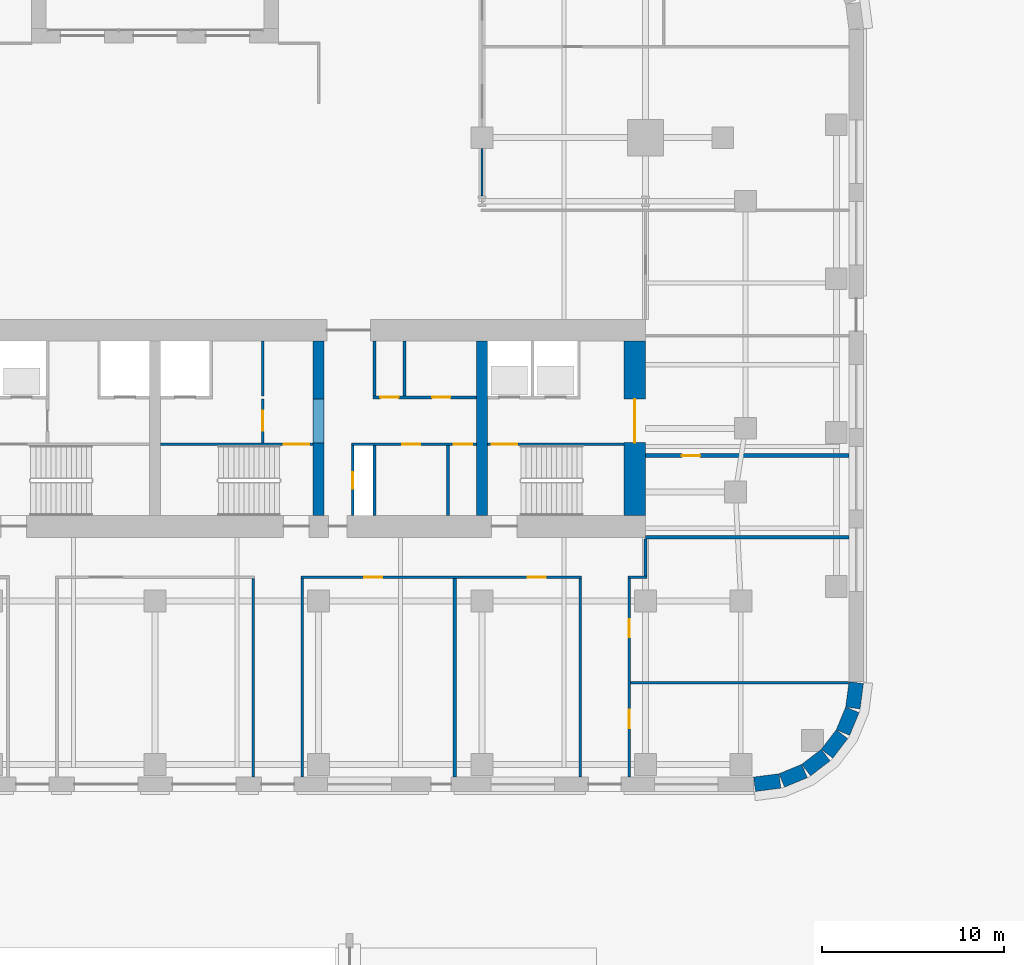
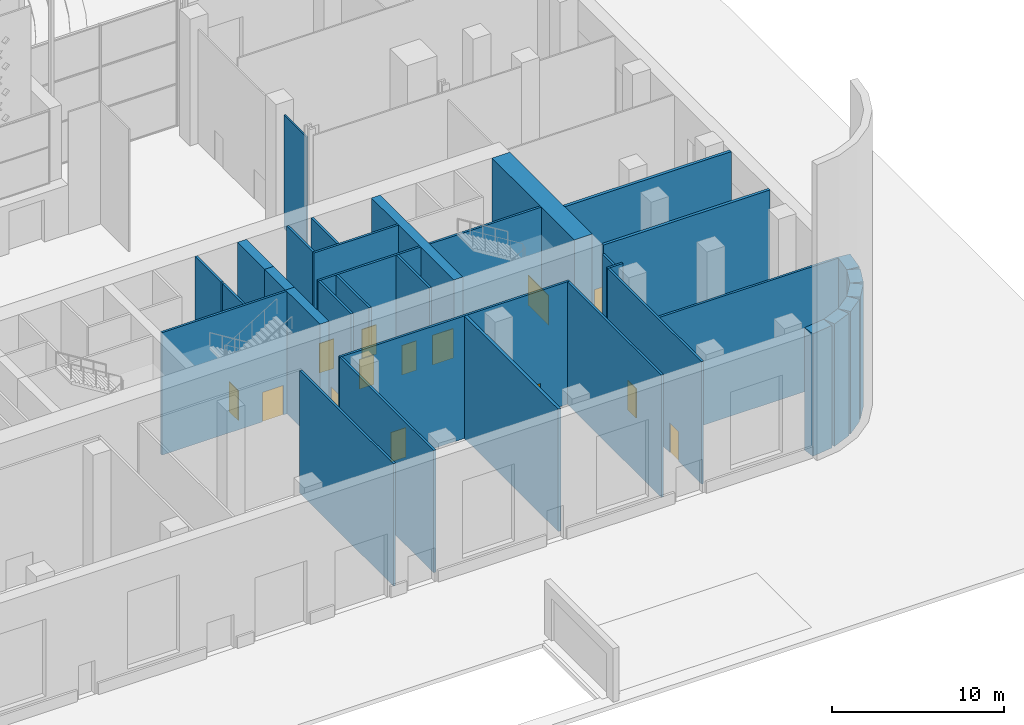
# One storey, part 13 of 23: 34 walls, 14 doors, 14 openings.
"""IFC4 building model written with IfcOpenShell, lengths in metres."""

from ifc_helpers import new_model, si_unit, direction, frame, frame_2d, origin, place, context, subcontext, project, spatial, rectangle, extrude, material, layer, layer_set, type_object, element, fill, save


model = new_model("IFC4")

# Units and contexts
model_context = context("Model", 3, precision=1e-05, world=origin(), true_north=direction((0.0, 1.0)))
body_context = subcontext(model_context, "Body", "Model", "MODEL_VIEW")
ifc_project = project(units=[si_unit("LENGTHUNIT", "METRE"), si_unit("AREAUNIT", "SQUARE_METRE"), si_unit("VOLUMEUNIT", "CUBIC_METRE"), si_unit("PLANEANGLEUNIT", "RADIAN"), si_unit("MASSUNIT", "GRAM", prefix="KILO")], contexts=[model_context])

# Site, building, storey
site_placement = place(None, origin())
site = spatial("IfcSite", under=ifc_project, at=site_placement, CompositionType="ELEMENT")
building_placement = place(site_placement, origin())
building = spatial("IfcBuilding", under=site, at=building_placement, Name="Zellij Exchange Tower", CompositionType="ELEMENT")
storey_placement = place(building_placement, origin())
storey = spatial("IfcBuildingStorey", under=building, at=storey_placement, Name="L00", CompositionType="ELEMENT", Elevation=0.0)

# Walls
ifc_material_1 = material(Name="Concrete C70/85", Category="concrete")
ifc_layer_1 = layer(ifc_material_1, 0.60009765625)
ifc_layer_set_1 = layer_set([ifc_layer_1], Name="Concrete C70/85")
wall_type_1 = type_object("IfcWallType", Name="CORE-CW 600 C70/85", PredefinedType="SHEAR", material=ifc_layer_set_1)
wall_1_placement = place(storey_placement, frame((9.0, -12.800048828125, 0.0), z_axis=(0.0, 0.0, 1.0), x_axis=(0.0, 1.0, 0.0)))
element("IfcWall", 1, at=wall_1_placement, inside=storey, type_object=wall_type_1, Name="Core cross wall pier x 9 a L00", PredefinedType="SHEAR", context=body_context, shape_type="SweptSolid", body=[
    extrude(rectangle(XDim=4.0, YDim=0.60009765625, at=frame_2d((2.0, 0.0))), origin(), (0.0, 0.0, 1.0), 8.699951171875),
])
wall_2_placement = place(storey_placement, frame((9.0, -6.375, 0.0), z_axis=(0.0, 0.0, 1.0), x_axis=(0.0, 1.0, 0.0)))
element("IfcWall", 2, at=wall_2_placement, inside=storey, type_object=wall_type_1, Name="Core cross wall pier x 9 b L00", PredefinedType="SHEAR", context=body_context, shape_type="SweptSolid", body=[
    extrude(rectangle(XDim=3.175048828125, YDim=0.60009765625, at=frame_2d((1.58740234375, 0.0))), origin(), (0.0, 0.0, 1.0), 8.699951171875),
])
wall_3_placement = place(storey_placement, frame((9.0, -8.800048828125, 3.60009765625), z_axis=(0.0, 0.0, 1.0), x_axis=(0.0, 1.0, 0.0)))
element("IfcWall", 3, at=wall_3_placement, inside=storey, type_object=wall_type_1, Name="Core cross wall over opening x 9 L00", PredefinedType="SHEAR", context=body_context, shape_type="SweptSolid", body=[
    extrude(rectangle(XDim=2.425048828125, YDim=0.60009765625, at=frame_2d((1.21240234375, 0.0))), origin(), (0.0, 0.0, 1.0), 5.099853515625),
])
wall_4_placement = place(storey_placement, frame((18.0, -12.800048828125, 0.0), z_axis=(0.0, 0.0, 1.0), x_axis=(0.0, 1.0, 0.0)))
element("IfcWall", 4, at=wall_4_placement, inside=storey, type_object=wall_type_1, Name="Core cross wall x 18 L00", PredefinedType="SHEAR", context=body_context, shape_type="SweptSolid", body=[
    extrude(rectangle(XDim=9.60009765625, YDim=0.60009765625, at=frame_2d((4.800048828125, 0.0))), origin(), (0.0, 0.0, 1.0), 8.699951171875),
])

# Wall, opening, door
ifc_material_2 = material(Name="Gypsum shaft wall system")
ifc_layer_2 = layer(ifc_material_2, 0.14990234375)
ifc_layer_set_2 = layer_set([ifc_layer_2], Name="Gypsum shaft wall system")
wall_type_2 = type_object("IfcWallType", Name="CORE-PW 150 Firefighting lobby wall", PredefinedType="PARTITIONING", material=ifc_layer_set_2)
wall_5_placement = place(storey_placement, frame((5.925048828125, -8.800048828125, 0.0), z_axis=(0.0, 0.0, 1.0), x_axis=(0.0, 1.0, 0.0)))
wall_5 = element("IfcWall", 5, at=wall_5_placement, inside=storey, type_object=wall_type_2, Name="Firefighting lobby wall L00", PredefinedType="PARTITIONING", context=body_context, shape_type="SweptSolid", body=[
    extrude(rectangle(XDim=2.425048828125, YDim=0.14990234375, at=frame_2d((1.21240234375, 0.0))), origin(), (0.0, 0.0, 1.0), 8.699951171875),
])
opening_1_placement = place(wall_5_placement, frame((0.662109375, 0.0, 0.0)))
opening_1 = element("IfcOpeningElement", 6, at=opening_1_placement, cuts=wall_5, Name="Opening CA-03.20", PredefinedType="OPENING", context=body_context, shape_type="SweptSolid", body=[
    extrude(rectangle(XDim=1.10009765625, YDim=2.10009765625, at=frame_2d((0.550048828125, 1.050048828125))), frame((0.0, 0.0869140625, 0.0), z_axis=(0.0, -1.0, 0.0), x_axis=(1.0, 0.0, 0.0)), (0.0, 0.0, 1.0), 0.173828125),
])
ifc_material_3 = material(Name="Hollow metal fire door")
door_type_1 = type_object("IfcDoorType", Name="CORE-D F Firefighting lobby door 1100x2100 1 HR", OperationType="NOTDEFINED", PredefinedType="DOOR", material=ifc_material_3)
door_1_placement = place(opening_1_placement, origin())
door_1 = element("IfcDoor", 7, at=door_1_placement, inside=storey, type_object=door_type_1, Name="Firefighting lobby door CA-03.20", OperationType="SINGLE_SWING_RIGHT", OverallHeight=2.10009765625, OverallWidth=1.10009765625, PredefinedType="DOOR", context=body_context, shape_type="SweptSolid", body=[
    extrude(rectangle(XDim=1.10009765625, YDim=2.10009765625, at=frame_2d((0.550048828125, 1.050048828125))), frame((0.0, 0.02490234375, 0.0), z_axis=(0.0, -1.0, 0.0), x_axis=(1.0, 0.0, 0.0)), (0.0, 0.0, 1.0), 0.050048828125),
])
fill(opening_1, door_1)

# Walls
ifc_material_4 = material(Name="Gypsum board partition")
ifc_layer_3 = layer(ifc_material_4, 0.14990234375)
ifc_layer_set_3 = layer_set([ifc_layer_3], Name="Gypsum board partition")
wall_type_3 = type_object("IfcWallType", Name="CORE-PW 150 Lift lobby wall", PredefinedType="PARTITIONING", material=ifc_layer_set_3)
for number, where, z_axis, x_axis, name in (
    (8, (5.925048828125, -6.22509765625, 0.0), (0.0, 0.0, 1.0), (0.0, 1.0, 0.0), "Lift lobby wall L00"),
    (9, (12.074951171875, -6.22509765625, 0.0), (0.0, 0.0, 1.0), (0.0, 1.0, 0.0), "Lift lobby wall L00"),
    (10, (13.72509765625, -6.22509765625, 0.0), (0.0, 0.0, 1.0), (0.0, 1.0, 0.0), "Lift lobby wall L00"),
):
    element("IfcWall", number, at=place(storey_placement, frame(where, z_axis=z_axis, x_axis=x_axis)), inside=storey, type_object=wall_type_3, Name=name, PredefinedType="PARTITIONING", context=body_context, shape_type="SweptSolid", body=[
        extrude(rectangle(XDim=3.025146484375, YDim=0.14990234375, at=frame_2d((1.5126953125, 0.0))), origin(), (0.0, 0.0, 1.0), 8.699951171875),
    ])

# Wall, opening, door
wall_6_placement = place(storey_placement, frame((10.875, -12.800048828125, 0.0), z_axis=(0.0, 0.0, 1.0), x_axis=(0.0, 1.0, 0.0)))
wall_6 = element("IfcWall", 11, at=wall_6_placement, inside=storey, type_object=wall_type_3, Name="Lift lobby wall L00", PredefinedType="PARTITIONING", context=body_context, shape_type="SweptSolid", body=[
    extrude(rectangle(XDim=3.85009765625, YDim=0.14990234375, at=frame_2d((1.925048828125, 0.0))), origin(), (0.0, 0.0, 1.0), 8.699951171875),
])
opening_2_placement = place(wall_6_placement, frame((1.47509765625, 0.0, 0.0)))
opening_2 = element("IfcOpeningElement", 12, at=opening_2_placement, cuts=wall_6, Name="Opening CA-03.25", PredefinedType="OPENING", context=body_context, shape_type="SweptSolid", body=[
    extrude(rectangle(XDim=0.89990234375, YDim=2.10009765625, at=frame_2d((0.449951171875, 1.050048828125))), frame((0.0, 0.0869140625, 0.0), z_axis=(0.0, -1.0, 0.0), x_axis=(1.0, 0.0, 0.0)), (0.0, 0.0, 1.0), 0.173828125),
])
door_type_2 = type_object("IfcDoorType", Name="CORE-D RD Riser door 900x2100 1.5 HR", OperationType="NOTDEFINED", PredefinedType="DOOR", material=ifc_material_3)
door_2_placement = place(opening_2_placement, origin())
door_2 = element("IfcDoor", 13, at=door_2_placement, inside=storey, type_object=door_type_2, Name="Riser door CA-03.25", OperationType="SINGLE_SWING_LEFT", OverallHeight=2.10009765625, OverallWidth=0.89990234375, PredefinedType="DOOR", context=body_context, shape_type="SweptSolid", body=[
    extrude(rectangle(XDim=0.89990234375, YDim=2.10009765625, at=frame_2d((0.449951171875, 1.050048828125))), frame((0.0, 0.02490234375, 0.0), z_axis=(0.0, -1.0, 0.0), x_axis=(1.0, 0.0, 0.0)), (0.0, 0.0, 1.0), 0.050048828125),
])
fill(opening_2, door_2)

# Walls
for number, where, z_axis, x_axis, name in (
    (14, (12.074951171875, -12.800048828125, 0.0), (0.0, 0.0, 1.0), (0.0, 1.0, 0.0), "Lift lobby wall L00"),
    (15, (16.125, -12.800048828125, 0.0), (0.0, 0.0, 1.0), (0.0, 1.0, 0.0), "Lift lobby wall L00"),
):
    element("IfcWall", number, at=place(storey_placement, frame(where, z_axis=z_axis, x_axis=x_axis)), inside=storey, type_object=wall_type_3, Name=name, PredefinedType="PARTITIONING", context=body_context, shape_type="SweptSolid", body=[
        extrude(rectangle(XDim=3.85009765625, YDim=0.14990234375, at=frame_2d((1.925048828125, 0.0))), origin(), (0.0, 0.0, 1.0), 8.699951171875),
    ])

# Wall, openings, doors
wall_7_placement = place(storey_placement, frame((12.0, -6.300048828125, 0.0), z_axis=(0.0, 0.0, 1.0), x_axis=(1.0, 0.0, 0.0)))
wall_7 = element("IfcWall", 16, at=wall_7_placement, inside=storey, type_object=wall_type_3, Name="Lift lobby wall L00", PredefinedType="PARTITIONING", context=body_context, shape_type="SweptSolid", body=[
    extrude(rectangle(XDim=5.699951171875, YDim=0.14990234375, at=frame_2d((2.85009765625, 0.0))), origin(), (0.0, 0.0, 1.0), 8.699951171875),
])
opening_3_placement = place(wall_7_placement, frame((0.39990234375, 0.0, 0.0)))
opening_3 = element("IfcOpeningElement", 17, at=opening_3_placement, cuts=wall_7, Name="Opening CA-03.26", PredefinedType="OPENING", context=body_context, shape_type="SweptSolid", body=[
    extrude(rectangle(XDim=1.0, YDim=2.10009765625, at=frame_2d((0.5, 1.050048828125))), frame((0.0, 0.0869140625, 0.0), z_axis=(0.0, -1.0, 0.0), x_axis=(1.0, 0.0, 0.0)), (0.0, 0.0, 1.0), 0.173828125),
])
opening_4_placement = place(wall_7_placement, frame((3.25, 0.0, 0.0)))
opening_4 = element("IfcOpeningElement", 18, at=opening_4_placement, cuts=wall_7, Name="Opening CA-03.28", PredefinedType="OPENING", context=body_context, shape_type="SweptSolid", body=[
    extrude(rectangle(XDim=1.0, YDim=2.10009765625, at=frame_2d((0.5, 1.050048828125))), frame((0.0, 0.0869140625, 0.0), z_axis=(0.0, -1.0, 0.0), x_axis=(1.0, 0.0, 0.0)), (0.0, 0.0, 1.0), 0.173828125),
])
door_type_3 = type_object("IfcDoorType", Name="CORE-D CD Core room door 1000x2100 1 HR", OperationType="NOTDEFINED", PredefinedType="DOOR", material=ifc_material_3)
door_3_placement = place(opening_3_placement, origin())
door_3 = element("IfcDoor", 19, at=door_3_placement, inside=storey, type_object=door_type_3, Name="Core room door CA-03.26", OperationType="SINGLE_SWING_LEFT", OverallHeight=2.10009765625, OverallWidth=1.0, PredefinedType="DOOR", context=body_context, shape_type="SweptSolid", body=[
    extrude(rectangle(XDim=1.0, YDim=2.10009765625, at=frame_2d((0.5, 1.050048828125))), frame((0.0, 0.02490234375, 0.0), z_axis=(0.0, -1.0, 0.0), x_axis=(1.0, 0.0, 0.0)), (0.0, 0.0, 1.0), 0.050048828125),
])
fill(opening_3, door_3)
door_4_placement = place(opening_4_placement, origin())
door_4 = element("IfcDoor", 20, at=door_4_placement, inside=storey, type_object=door_type_3, Name="Core room door CA-03.28", OperationType="SINGLE_SWING_RIGHT", OverallHeight=2.10009765625, OverallWidth=1.0, PredefinedType="DOOR", context=body_context, shape_type="SweptSolid", body=[
    extrude(rectangle(XDim=1.0, YDim=2.10009765625, at=frame_2d((0.5, 1.050048828125))), frame((0.0, 0.02490234375, 0.0), z_axis=(0.0, -1.0, 0.0), x_axis=(1.0, 0.0, 0.0)), (0.0, 0.0, 1.0), 0.050048828125),
])
fill(opening_4, door_4)

wall_8_placement = place(storey_placement, frame((10.800048828125, -8.875, 0.0), z_axis=(0.0, 0.0, 1.0), x_axis=(1.0, 0.0, 0.0)))
wall_8 = element("IfcWall", 21, at=wall_8_placement, inside=storey, type_object=wall_type_3, Name="Lift lobby wall L00", PredefinedType="PARTITIONING", context=body_context, shape_type="SweptSolid", body=[
    extrude(rectangle(XDim=6.89990234375, YDim=0.14990234375, at=frame_2d((3.449951171875, 0.0))), origin(), (0.0, 0.0, 1.0), 8.699951171875),
])
opening_5_placement = place(wall_8_placement, frame((2.800048828125, 0.0, 0.0)))
opening_5 = element("IfcOpeningElement", 22, at=opening_5_placement, cuts=wall_8, Name="Opening CA-03.27", PredefinedType="OPENING", context=body_context, shape_type="SweptSolid", body=[
    extrude(rectangle(XDim=1.0, YDim=2.10009765625, at=frame_2d((0.5, 1.050048828125))), frame((0.0, 0.0869140625, 0.0), z_axis=(0.0, -1.0, 0.0), x_axis=(1.0, 0.0, 0.0)), (0.0, 0.0, 1.0), 0.173828125),
])
opening_6_placement = place(wall_8_placement, frame((5.64990234375, 0.0, 0.0)))
opening_6 = element("IfcOpeningElement", 23, at=opening_6_placement, cuts=wall_8, Name="Opening CA-03.29", PredefinedType="OPENING", context=body_context, shape_type="SweptSolid", body=[
    extrude(rectangle(XDim=1.0, YDim=2.10009765625, at=frame_2d((0.5, 1.050048828125))), frame((0.0, 0.0869140625, 0.0), z_axis=(0.0, -1.0, 0.0), x_axis=(1.0, 0.0, 0.0)), (0.0, 0.0, 1.0), 0.173828125),
])
door_5_placement = place(opening_5_placement, origin())
door_5 = element("IfcDoor", 24, at=door_5_placement, inside=storey, type_object=door_type_3, Name="Core room door CA-03.27", OperationType="SINGLE_SWING_RIGHT", OverallHeight=2.10009765625, OverallWidth=1.0, PredefinedType="DOOR", context=body_context, shape_type="SweptSolid", body=[
    extrude(rectangle(XDim=1.0, YDim=2.10009765625, at=frame_2d((0.5, 1.050048828125))), frame((0.0, 0.02490234375, 0.0), z_axis=(0.0, -1.0, 0.0), x_axis=(1.0, 0.0, 0.0)), (0.0, 0.0, 1.0), 0.050048828125),
])
fill(opening_5, door_5)
door_6_placement = place(opening_6_placement, origin())
door_6 = element("IfcDoor", 25, at=door_6_placement, inside=storey, type_object=door_type_3, Name="Core room door CA-03.29", OperationType="SINGLE_SWING_LEFT", OverallHeight=2.10009765625, OverallWidth=1.0, PredefinedType="DOOR", context=body_context, shape_type="SweptSolid", body=[
    extrude(rectangle(XDim=1.0, YDim=2.10009765625, at=frame_2d((0.5, 1.050048828125))), frame((0.0, 0.02490234375, 0.0), z_axis=(0.0, -1.0, 0.0), x_axis=(1.0, 0.0, 0.0)), (0.0, 0.0, 1.0), 0.050048828125),
])
fill(opening_6, door_6)

# Wall, opening, door
ifc_layer_4 = layer(ifc_material_1, 1.199951171875)
ifc_layer_set_4 = layer_set([ifc_layer_4], Name="Concrete C70/85")
wall_type_4 = type_object("IfcWallType", Name="CORE-SW 1200 C70/85", PredefinedType="SHEAR", material=ifc_layer_set_4)
wall_9_placement = place(storey_placement, frame((26.39990234375, -12.800048828125, 0.0), z_axis=(0.0, 0.0, 1.0), x_axis=(0.0, 1.0, 0.0)))
wall_9 = element("IfcWall", 26, at=wall_9_placement, inside=storey, type_object=wall_type_4, Name="Core shear wall end e L00", PredefinedType="SHEAR", context=body_context, shape_type="SweptSolid", body=[
    extrude(rectangle(XDim=9.60009765625, YDim=1.199951171875, at=frame_2d((4.800048828125, 0.0))), origin(), (0.0, 0.0, 1.0), 8.699951171875),
])
opening_7_placement = place(wall_9_placement, frame((4.011962890625, 0.0, 0.0)))
opening_7 = element("IfcOpeningElement", 27, at=opening_7_placement, cuts=wall_9, Name="Opening CA-03.34", PredefinedType="OPENING", context=body_context, shape_type="SweptSolid", body=[
    extrude(rectangle(XDim=2.39990234375, YDim=2.10009765625, at=frame_2d((1.199951171875, 1.050048828125))), frame((0.0, 0.61181640625, 0.0), z_axis=(0.0, -1.0, 0.0), x_axis=(1.0, 0.0, 0.0)), (0.0, 0.0, 1.0), 1.223876953125),
])
door_type_4 = type_object("IfcDoorType", Name="CORE-D CE Core entrance door 2400x2100 20 MIN", OperationType="NOTDEFINED", PredefinedType="DOOR", material=ifc_material_3)
door_7_placement = place(opening_7_placement, origin())
door_7 = element("IfcDoor", 28, at=door_7_placement, inside=storey, type_object=door_type_4, Name="Core entrance door CA-03.34", OperationType="DOUBLE_DOOR_SINGLE_SWING", OverallHeight=2.10009765625, OverallWidth=2.39990234375, PredefinedType="DOOR", context=body_context, shape_type="SweptSolid", body=[
    extrude(rectangle(XDim=2.39990234375, YDim=2.10009765625, at=frame_2d((1.199951171875, 1.050048828125))), frame((0.0, 0.02490234375, 0.0), z_axis=(0.0, -1.0, 0.0), x_axis=(1.0, 0.0, 0.0)), (0.0, 0.0, 1.0), 0.050048828125),
])
fill(opening_7, door_7)

ifc_layer_5 = layer(ifc_material_1, 0.14990234375)
ifc_layer_set_5 = layer_set([ifc_layer_5], Name="Concrete C70/85")
wall_type_5 = type_object("IfcWallType", Name="CORE-SWS 150 C70/85", PredefinedType="SHEAR", material=ifc_layer_set_5)
wall_10_placement = place(storey_placement, frame((0.300048828125, -8.875, 0.0), z_axis=(0.0, 0.0, 1.0), x_axis=(1.0, 0.0, 0.0)))
wall_10 = element("IfcWall", 29, at=wall_10_placement, inside=storey, type_object=wall_type_5, Name="Stair enclosure wall L00", PredefinedType="SHEAR", context=body_context, shape_type="SweptSolid", body=[
    extrude(rectangle(XDim=8.39990234375, YDim=0.14990234375, at=frame_2d((4.199951171875, 0.0))), origin(), (0.0, 0.0, 1.0), 8.699951171875),
])
opening_8_placement = place(wall_10_placement, frame((6.77490234375, 0.0, 0.0)))
opening_8 = element("IfcOpeningElement", 30, at=opening_8_placement, cuts=wall_10, Name="Opening CA-03.22", PredefinedType="OPENING", context=body_context, shape_type="SweptSolid", body=[
    extrude(rectangle(XDim=1.39990234375, YDim=2.10009765625, at=frame_2d((0.699951171875, 1.050048828125))), frame((0.0, 0.0869140625, 0.0), z_axis=(0.0, -1.0, 0.0), x_axis=(1.0, 0.0, 0.0)), (0.0, 0.0, 1.0), 0.173828125),
])
door_type_5 = type_object("IfcDoorType", Name="CORE-D SD Stair door 1400x2100 1.5 HR", OperationType="NOTDEFINED", PredefinedType="DOOR", material=ifc_material_3)
door_8_placement = place(opening_8_placement, origin())
door_8 = element("IfcDoor", 31, at=door_8_placement, inside=storey, type_object=door_type_5, Name="Stair door CA-03.22", OperationType="DOUBLE_DOOR_SINGLE_SWING", OverallHeight=2.10009765625, OverallWidth=1.39990234375, PredefinedType="DOOR", context=body_context, shape_type="SweptSolid", body=[
    extrude(rectangle(XDim=1.39990234375, YDim=2.10009765625, at=frame_2d((0.699951171875, 1.050048828125))), frame((0.0, 0.02490234375, 0.0), z_axis=(0.0, -1.0, 0.0), x_axis=(1.0, 0.0, 0.0)), (0.0, 0.0, 1.0), 0.050048828125),
])
fill(opening_8, door_8)

wall_11_placement = place(storey_placement, frame((18.300048828125, -8.875, 0.0), z_axis=(0.0, 0.0, 1.0), x_axis=(1.0, 0.0, 0.0)))
wall_11 = element("IfcWall", 32, at=wall_11_placement, inside=storey, type_object=wall_type_5, Name="Stair enclosure wall L00", PredefinedType="SHEAR", context=body_context, shape_type="SweptSolid", body=[
    extrude(rectangle(XDim=7.5, YDim=0.14990234375, at=frame_2d((3.75, 0.0))), origin(), (0.0, 0.0, 1.0), 8.699951171875),
])
opening_9_placement = place(wall_11_placement, frame((0.22509765625, 0.0, 0.0)))
opening_9 = element("IfcOpeningElement", 33, at=opening_9_placement, cuts=wall_11, Name="Opening CA-03.31", PredefinedType="OPENING", context=body_context, shape_type="SweptSolid", body=[
    extrude(rectangle(XDim=1.39990234375, YDim=2.10009765625, at=frame_2d((0.699951171875, 1.050048828125))), frame((0.0, 0.0869140625, 0.0), z_axis=(0.0, -1.0, 0.0), x_axis=(1.0, 0.0, 0.0)), (0.0, 0.0, 1.0), 0.173828125),
])
door_9_placement = place(opening_9_placement, origin())
door_9 = element("IfcDoor", 34, at=door_9_placement, inside=storey, type_object=door_type_5, Name="Stair door CA-03.31", OperationType="DOUBLE_DOOR_SINGLE_SWING", OverallHeight=2.10009765625, OverallWidth=1.39990234375, PredefinedType="DOOR", context=body_context, shape_type="SweptSolid", body=[
    extrude(rectangle(XDim=1.39990234375, YDim=2.10009765625, at=frame_2d((0.699951171875, 1.050048828125))), frame((0.0, 0.02490234375, 0.0), z_axis=(0.0, -1.0, 0.0), x_axis=(1.0, 0.0, 0.0)), (0.0, 0.0, 1.0), 0.050048828125),
])
fill(opening_9, door_9)

# Walls
ifc_material_5 = material(Name="Precast concrete C40/50", Category="concrete")
ifc_layer_6 = layer(ifc_material_5, 0.800048828125)
ifc_layer_set_6 = layer_set([ifc_layer_6], Name="Precast concrete C40/50")
wall_type_6 = type_object("IfcWallType", Name="ENV-EW1 Precast stone-piered wall 800", PredefinedType="SOLIDWALL", material=ifc_layer_set_6)
wall_12_placement = place(storey_placement, frame((32.999755859375, -27.5966796875, 0.0), z_axis=(0.0, 0.0, 1.0), x_axis=(0.99144603414, 0.130517283865, 0.0)))
element("IfcWall", 35, at=wall_12_placement, inside=storey, type_object=wall_type_6, Name="fac.L00.01", PredefinedType="SOLIDWALL", context=body_context, shape_type="SweptSolid", body=[
    extrude(rectangle(XDim=1.408447265625, YDim=0.800048828125, at=frame_2d((0.7041015625, 0.0))), origin(), (0.0, 0.0, 1.0), 8.699951171875),
])
wall_13_placement = place(storey_placement, frame((34.497314453125, -27.3857421875, 0.0), z_axis=(0.0, 0.0, 1.0), x_axis=(0.923847774587, 0.38276009378, 0.0)))
element("IfcWall", 36, at=wall_13_placement, inside=storey, type_object=wall_type_6, Name="fac.L00.02", PredefinedType="SOLIDWALL", context=body_context, shape_type="SweptSolid", body=[
    extrude(rectangle(XDim=1.35546875, YDim=0.800048828125, at=frame_2d((0.677734375, 0.0))), origin(), (0.0, 0.0, 1.0), 8.699951171875),
])
for number, where, z_axis, x_axis, name in (
    (37, (35.840087890625, -26.814697265625, 0.0), (0.0, 0.0, 1.0), (0.793272915452, 0.608866226366, 0.0), "fac.L00.03"),
    (38, (36.9892578125, -25.91552734375, 0.0), (0.0, 0.0, 1.0), (0.608866226366, 0.793272915452, 0.0), "fac.L00.04"),
):
    element("IfcWall", number, at=place(storey_placement, frame(where, z_axis=z_axis, x_axis=x_axis)), inside=storey, type_object=wall_type_6, Name=name, PredefinedType="SOLIDWALL", context=body_context, shape_type="SweptSolid", body=[
        extrude(rectangle(XDim=1.355712890625, YDim=0.800048828125, at=frame_2d((0.677734375, 0.0))), origin(), (0.0, 0.0, 1.0), 8.699951171875),
    ])
wall_14_placement = place(storey_placement, frame((37.866943359375, -24.74951171875, 0.0), z_axis=(0.0, 0.0, 1.0), x_axis=(0.38276009378, 0.923847774587, 0.0)))
element("IfcWall", 39, at=wall_14_placement, inside=storey, type_object=wall_type_6, Name="fac.L00.05", PredefinedType="SOLIDWALL", context=body_context, shape_type="SweptSolid", body=[
    extrude(rectangle(XDim=1.35546875, YDim=0.800048828125, at=frame_2d((0.677734375, 0.0))), origin(), (0.0, 0.0, 1.0), 8.699951171875),
])
wall_15_placement = place(storey_placement, frame((38.412841796875, -23.396240234375, 0.0), z_axis=(0.0, 0.0, 1.0), x_axis=(0.130517283865, 0.99144603414, 0.0)))
element("IfcWall", 40, at=wall_15_placement, inside=storey, type_object=wall_type_6, Name="fac.L00.06", PredefinedType="SOLIDWALL", context=body_context, shape_type="SweptSolid", body=[
    extrude(rectangle(XDim=1.408447265625, YDim=0.800048828125, at=frame_2d((0.7041015625, 0.0))), origin(), (0.0, 0.0, 1.0), 8.699951171875),
])
ifc_material_6 = material(Name="Blockwork partition", Category="masonry")
ifc_layer_7 = layer(ifc_material_6, 0.199951171875)
ifc_layer_set_7 = layer_set([ifc_layer_7], Name="Blockwork partition")
wall_type_7 = type_object("IfcWallType", Name="FIT-BLOCKWORK-200", PredefinedType="PARTITIONING", material=ifc_layer_set_7)
wall_16_placement = place(storey_placement, frame((16.5, -27.199951171875, 0.0), z_axis=(0.0, 0.0, 1.0), x_axis=(0.0, 1.0, 0.0)))
element("IfcWall", 41, at=wall_16_placement, inside=storey, type_object=wall_type_7, Name="FIT-BLOCKWORK-200 007", PredefinedType="PARTITIONING", context=body_context, shape_type="SweptSolid", body=[
    extrude(rectangle(XDim=10.925048828125, YDim=0.199951171875, at=frame_2d((5.46240234375, 0.0))), origin(), (0.0, 0.0, 1.0), 8.699951171875),
])
wall_17_placement = place(storey_placement, frame((27.0048828125, -14.0, 0.0), z_axis=(0.0, 0.0, 1.0), x_axis=(1.0, 0.0, 0.0)))
element("IfcWall", 42, at=wall_17_placement, inside=storey, type_object=wall_type_7, Name="FIT-BLOCKWORK-200 020", PredefinedType="PARTITIONING", context=body_context, shape_type="SweptSolid", body=[
    extrude(rectangle(XDim=11.195068359375, YDim=0.199951171875, at=frame_2d((5.59765625, 0.0))), origin(), (0.0, 0.0, 1.0), 8.699951171875),
])

# Wall, opening, door
wall_18_placement = place(storey_placement, frame((27.0, -9.5, 0.0), z_axis=(0.0, 0.0, 1.0), x_axis=(1.0, 0.0, 0.0)))
wall_18 = element("IfcWall", 43, at=wall_18_placement, inside=storey, type_object=wall_type_7, Name="FIT-BLOCKWORK-200 022", PredefinedType="PARTITIONING", context=body_context, shape_type="SweptSolid", body=[
    extrude(rectangle(XDim=11.199951171875, YDim=0.199951171875, at=frame_2d((5.60009765625, 0.0))), origin(), (0.0, 0.0, 1.0), 8.699951171875),
])
opening_10_placement = place(wall_18_placement, frame((2.0, 0.0, 0.0)))
opening_10 = element("IfcOpeningElement", 44, at=opening_10_placement, cuts=wall_18, Name="Opening P0.11", PredefinedType="OPENING", context=body_context, shape_type="SweptSolid", body=[
    extrude(rectangle(XDim=1.0, YDim=2.10009765625, at=frame_2d((0.5, 1.050048828125))), frame((0.0, 0.11181640625, 0.0), z_axis=(0.0, -1.0, 0.0), x_axis=(1.0, 0.0, 0.0)), (0.0, 0.0, 1.0), 0.223876953125),
])
ifc_material_7 = material(Name="Timber door set", Category="wood")
door_type_6 = type_object("IfcDoorType", Name="FIT-D2-WIDE-1000X2100", OperationType="SINGLE_SWING_LEFT", PredefinedType="DOOR", material=ifc_material_7)
door_10_placement = place(opening_10_placement, origin())
door_10 = element("IfcDoor", 45, at=door_10_placement, inside=storey, type_object=door_type_6, Name="Door P0.11", OperationType="SINGLE_SWING_RIGHT", OverallHeight=2.10009765625, OverallWidth=1.0, PredefinedType="DOOR", context=body_context, shape_type="SweptSolid", body=[
    extrude(rectangle(XDim=1.0, YDim=2.10009765625, at=frame_2d((0.5, 1.050048828125))), frame((0.0, 0.02490234375, 0.0), z_axis=(0.0, -1.0, 0.0), x_axis=(1.0, 0.0, 0.0)), (0.0, 0.0, 1.0), 0.050048828125),
])
fill(opening_10, door_10)

# Walls
ifc_material_8 = material(Name="Gypsum board partition on steel studs", Category="steel")
ifc_layer_8 = layer(ifc_material_8, 0.10009765625)
ifc_layer_set_8 = layer_set([ifc_layer_8], Name="Gypsum board partition on steel studs")
wall_type_8 = type_object("IfcWallType", Name="FIT-PARTITION-100", PredefinedType="PARTITIONING", material=ifc_layer_set_8)
wall_19_placement = place(storey_placement, frame((18.0, 4.784423828125, 0.0), z_axis=(0.0, 0.0, 1.0), x_axis=(0.0, 1.0, 0.0)))
element("IfcWall", 46, at=wall_19_placement, inside=storey, type_object=wall_type_8, Name="FIT-PARTITION-100 035", PredefinedType="PARTITIONING", context=body_context, shape_type="SweptSolid", body=[
    extrude(rectangle(XDim=2.615478515625, YDim=0.10009765625, at=frame_2d((1.3076171875, 0.0))), origin(), (0.0, 0.0, 1.0), 8.087890625),
])
ifc_material_9 = material(Name="Gypsum board shaft-wall partition", Category="gypsum")
ifc_layer_9 = layer(ifc_material_9, 0.14990234375)
ifc_layer_set_9 = layer_set([ifc_layer_9], Name="Gypsum board shaft-wall partition")
wall_type_9 = type_object("IfcWallType", Name="FIT-PARTITION-150-EI60", PredefinedType="PARTITIONING", material=ifc_layer_set_9)
for number, where, z_axis, x_axis, name in (
    (47, (5.39990234375, -27.199951171875, 0.0), (0.0, 0.0, 1.0), (0.0, 1.0, 0.0), "FIT-PARTITION-150-EI60 005"),
    (48, (8.10009765625, -27.199951171875, 0.0), (0.0, 0.0, 1.0), (0.0, 1.0, 0.0), "FIT-PARTITION-150-EI60 006"),
    (49, (23.39990234375, -27.199951171875, 0.0), (0.0, 0.0, 1.0), (0.0, 1.0, 0.0), "FIT-PARTITION-150-EI60 008"),
):
    element("IfcWall", number, at=place(storey_placement, frame(where, z_axis=z_axis, x_axis=x_axis)), inside=storey, type_object=wall_type_9, Name=name, PredefinedType="PARTITIONING", context=body_context, shape_type="SweptSolid", body=[
        extrude(rectangle(XDim=10.925048828125, YDim=0.14990234375, at=frame_2d((5.46240234375, 0.0))), origin(), (0.0, 0.0, 1.0), 8.699951171875),
    ])

# Wall, openings, doors
wall_20_placement = place(storey_placement, frame((26.10009765625, -27.199951171875, 0.0), z_axis=(0.0, 0.0, 1.0), x_axis=(0.0, 1.0, 0.0)))
wall_20 = element("IfcWall", 50, at=wall_20_placement, inside=storey, type_object=wall_type_9, Name="FIT-PARTITION-150-EI60 009", PredefinedType="PARTITIONING", context=body_context, shape_type="SweptSolid", body=[
    extrude(rectangle(XDim=10.925048828125, YDim=0.14990234375, at=frame_2d((5.46240234375, 0.0))), origin(), (0.0, 0.0, 1.0), 8.699951171875),
])
opening_11_placement = place(wall_20_placement, frame((2.699951171875, 0.0, 0.0)))
opening_11 = element("IfcOpeningElement", 51, at=opening_11_placement, cuts=wall_20, Name="Opening P0.03", PredefinedType="OPENING", context=body_context, shape_type="SweptSolid", body=[
    extrude(rectangle(XDim=1.0, YDim=2.10009765625, at=frame_2d((0.5, 1.050048828125))), frame((0.0, 0.0869140625, 0.0), z_axis=(0.0, -1.0, 0.0), x_axis=(1.0, 0.0, 0.0)), (0.0, 0.0, 1.0), 0.173828125),
])
opening_12_placement = place(wall_20_placement, frame((7.699951171875, 0.0, 0.0)))
opening_12 = element("IfcOpeningElement", 52, at=opening_12_placement, cuts=wall_20, Name="Opening P0.05", PredefinedType="OPENING", context=body_context, shape_type="SweptSolid", body=[
    extrude(rectangle(XDim=1.0, YDim=2.10009765625, at=frame_2d((0.5, 1.050048828125))), frame((0.0, 0.0869140625, 0.0), z_axis=(0.0, -1.0, 0.0), x_axis=(1.0, 0.0, 0.0)), (0.0, 0.0, 1.0), 0.173828125),
])
ifc_material_10 = material(Name="Steel fire door set", Category="steel")
door_type_7 = type_object("IfcDoorType", Name="FIT-D4-FIRE-1000X2100", OperationType="SINGLE_SWING_LEFT", PredefinedType="DOOR", material=ifc_material_10)
door_11_placement = place(opening_11_placement, origin())
door_11 = element("IfcDoor", 53, at=door_11_placement, inside=storey, type_object=door_type_7, Name="Door P0.03", OperationType="SINGLE_SWING_LEFT", OverallHeight=2.10009765625, OverallWidth=1.0, PredefinedType="DOOR", context=body_context, shape_type="SweptSolid", body=[
    extrude(rectangle(XDim=1.0, YDim=2.10009765625, at=frame_2d((0.5, 1.050048828125))), frame((0.0, 0.02490234375, 0.0), z_axis=(0.0, -1.0, 0.0), x_axis=(1.0, 0.0, 0.0)), (0.0, 0.0, 1.0), 0.050048828125),
])
fill(opening_11, door_11)
door_12_placement = place(opening_12_placement, origin())
door_12 = element("IfcDoor", 54, at=door_12_placement, inside=storey, type_object=door_type_7, Name="Door P0.05", OperationType="SINGLE_SWING_LEFT", OverallHeight=2.10009765625, OverallWidth=1.0, PredefinedType="DOOR", context=body_context, shape_type="SweptSolid", body=[
    extrude(rectangle(XDim=1.0, YDim=2.10009765625, at=frame_2d((0.5, 1.050048828125))), frame((0.0, 0.02490234375, 0.0), z_axis=(0.0, -1.0, 0.0), x_axis=(1.0, 0.0, 0.0)), (0.0, 0.0, 1.0), 0.050048828125),
])
fill(opening_12, door_12)

# Wall
wall_21_placement = place(storey_placement, frame((26.175048828125, -22.0, 0.0), z_axis=(0.0, 0.0, 1.0), x_axis=(1.0, 0.0, 0.0)))
element("IfcWall", 55, at=wall_21_placement, inside=storey, type_object=wall_type_9, Name="FIT-PARTITION-150-EI60 011", PredefinedType="PARTITIONING", context=body_context, shape_type="SweptSolid", body=[
    extrude(rectangle(XDim=12.0048828125, YDim=0.14990234375, at=frame_2d((6.00244140625, 0.0))), origin(), (0.0, 0.0, 1.0), 8.699951171875),
])

# Wall, openings, doors
wall_22_placement = place(storey_placement, frame((8.02490234375, -16.199951171875, 0.0), z_axis=(0.0, 0.0, 1.0), x_axis=(1.0, 0.0, 0.0)))
wall_22 = element("IfcWall", 56, at=wall_22_placement, inside=storey, type_object=wall_type_9, Name="FIT-PARTITION-150-EI60 016", PredefinedType="PARTITIONING", context=body_context, shape_type="SweptSolid", body=[
    extrude(rectangle(XDim=15.4501953125, YDim=0.14990234375, at=frame_2d((7.72509765625, 0.0))), origin(), (0.0, 0.0, 1.0), 8.699951171875),
])
opening_13_placement = place(wall_22_placement, frame((3.47509765625, 0.0, 0.0)))
opening_13 = element("IfcOpeningElement", 57, at=opening_13_placement, cuts=wall_22, Name="Opening P0.08", PredefinedType="OPENING", context=body_context, shape_type="SweptSolid", body=[
    extrude(rectangle(XDim=1.0, YDim=2.10009765625, at=frame_2d((0.5, 1.050048828125))), frame((0.0, 0.0869140625, 0.0), z_axis=(0.0, -1.0, 0.0), x_axis=(1.0, 0.0, 0.0)), (0.0, 0.0, 1.0), 0.173828125),
])
opening_14_placement = place(wall_22_placement, frame((12.47509765625, 0.0, 0.0)))
opening_14 = element("IfcOpeningElement", 58, at=opening_14_placement, cuts=wall_22, Name="Opening P0.09", PredefinedType="OPENING", context=body_context, shape_type="SweptSolid", body=[
    extrude(rectangle(XDim=1.0, YDim=2.10009765625, at=frame_2d((0.5, 1.050048828125))), frame((0.0, 0.0869140625, 0.0), z_axis=(0.0, -1.0, 0.0), x_axis=(1.0, 0.0, 0.0)), (0.0, 0.0, 1.0), 0.173828125),
])
door_13_placement = place(opening_13_placement, origin())
door_13 = element("IfcDoor", 59, at=door_13_placement, inside=storey, type_object=door_type_7, Name="Door P0.08", OperationType="SINGLE_SWING_RIGHT", OverallHeight=2.10009765625, OverallWidth=1.0, PredefinedType="DOOR", context=body_context, shape_type="SweptSolid", body=[
    extrude(rectangle(XDim=1.0, YDim=2.10009765625, at=frame_2d((0.5, 1.050048828125))), frame((0.0, 0.02490234375, 0.0), z_axis=(0.0, -1.0, 0.0), x_axis=(1.0, 0.0, 0.0)), (0.0, 0.0, 1.0), 0.050048828125),
])
fill(opening_13, door_13)
door_14_placement = place(opening_14_placement, origin())
door_14 = element("IfcDoor", 60, at=door_14_placement, inside=storey, type_object=door_type_7, Name="Door P0.09", OperationType="SINGLE_SWING_LEFT", OverallHeight=2.10009765625, OverallWidth=1.0, PredefinedType="DOOR", context=body_context, shape_type="SweptSolid", body=[
    extrude(rectangle(XDim=1.0, YDim=2.10009765625, at=frame_2d((0.5, 1.050048828125))), frame((0.0, 0.02490234375, 0.0), z_axis=(0.0, -1.0, 0.0), x_axis=(1.0, 0.0, 0.0)), (0.0, 0.0, 1.0), 0.050048828125),
])
fill(opening_14, door_14)

# Walls
wall_23_placement = place(storey_placement, frame((26.02490234375, -16.199951171875, 0.0), z_axis=(0.0, 0.0, 1.0), x_axis=(1.0, 0.0, 0.0)))
element("IfcWall", 61, at=wall_23_placement, inside=storey, type_object=wall_type_9, Name="FIT-PARTITION-150-EI60 017", PredefinedType="PARTITIONING", context=body_context, shape_type="SweptSolid", body=[
    extrude(rectangle(XDim=1.050048828125, YDim=0.14990234375, at=frame_2d((0.52490234375, 0.0))), origin(), (0.0, 0.0, 1.0), 8.699951171875),
])
wall_24_placement = place(storey_placement, frame((27.0, -16.125, 0.0), z_axis=(0.0, 0.0, 1.0), x_axis=(0.0, 1.0, 0.0)))
element("IfcWall", 62, at=wall_24_placement, inside=storey, type_object=wall_type_9, Name="FIT-PARTITION-150-EI60 018", PredefinedType="PARTITIONING", context=body_context, shape_type="SweptSolid", body=[
    extrude(rectangle(XDim=2.02490234375, YDim=0.14990234375, at=frame_2d((1.012451171875, 0.0))), origin(), (0.0, 0.0, 1.0), 8.087890625),
])

save(model, "model.ifc")
